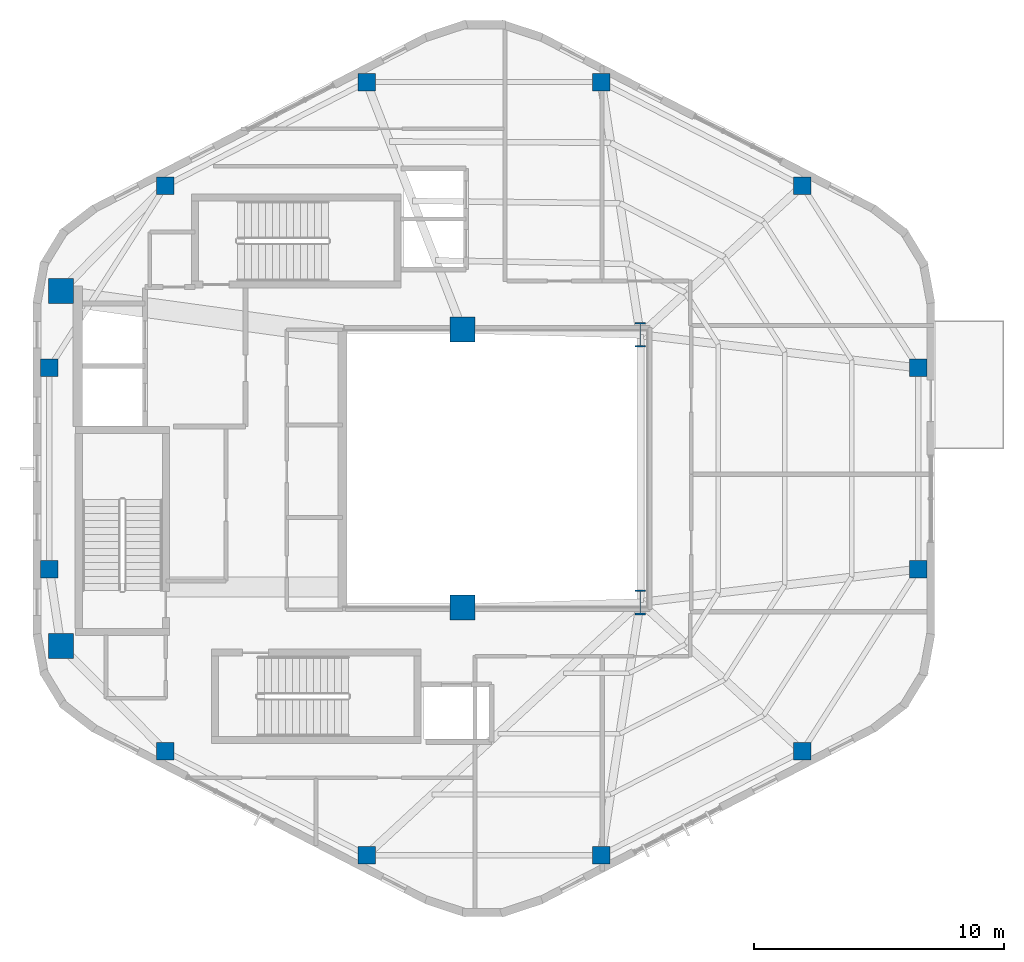
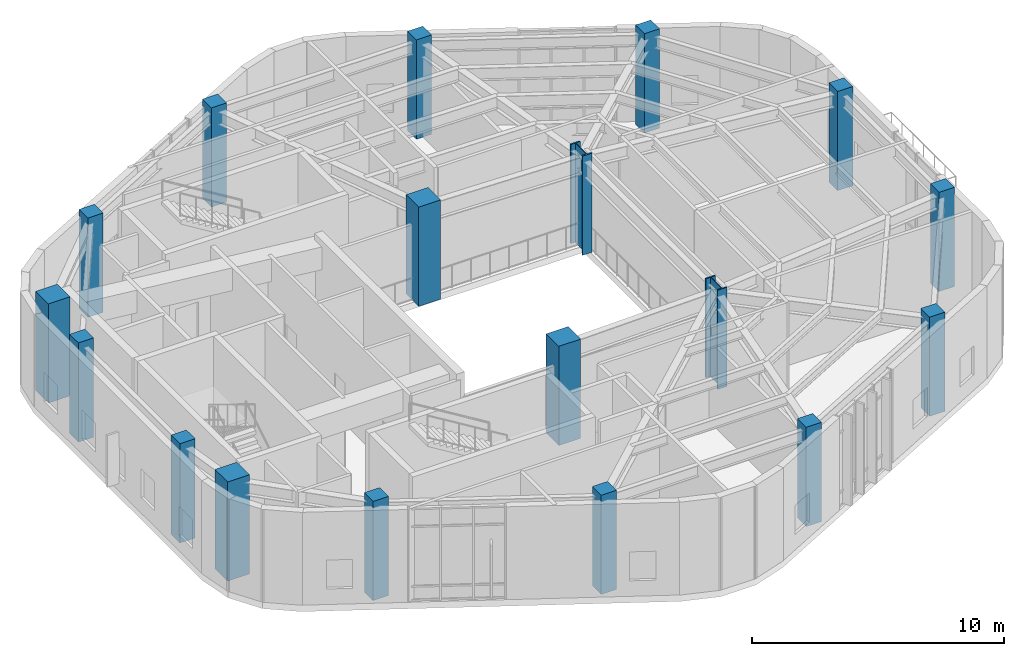
# One storey, part 1 of 19: 18 columns.
"""IFC4 building model written with IfcOpenShell, lengths in metres."""

from ifc_helpers import new_model, si_unit, direction, frame, origin, origin_2d, place, context, subcontext, project, spatial, rectangle, i_section, extrude, material, material_profile, profile_set, type_object, element, save


model = new_model("IFC4")

# Units and contexts
model_context = context("Model", 3, precision=1e-05, world=origin(), true_north=direction((0.0, 1.0)))
body_context = subcontext(model_context, "Body", "Model", "MODEL_VIEW")
ifc_project = project(units=[si_unit("LENGTHUNIT", "METRE"), si_unit("AREAUNIT", "SQUARE_METRE"), si_unit("VOLUMEUNIT", "CUBIC_METRE"), si_unit("PLANEANGLEUNIT", "RADIAN"), si_unit("MASSUNIT", "GRAM", prefix="KILO"), si_unit("THERMODYNAMICTEMPERATUREUNIT", "KELVIN"), si_unit("POWERUNIT", "WATT")], contexts=[model_context])

# Site, building, storey
site_placement = place(None, origin())
site = spatial("IfcSite", under=ifc_project, at=site_placement, CompositionType="ELEMENT")
building_placement = place(site_placement, origin())
building = spatial("IfcBuilding", under=site, at=building_placement, Name="Skarre Station Tower", CompositionType="ELEMENT")
storey_placement = place(building_placement, frame((0.0, 0.0, 275.10009765625)))
storey = spatial("IfcBuildingStorey", under=building, at=storey_placement, Name="L75", CompositionType="ELEMENT", Elevation=275.10009765625)

# Columns
ifc_material_1 = material(Name="Concrete C60/75", Category="concrete")
ifc_material_profile_1 = material_profile(ifc_material_1, rectangle(XDim=1.0, YDim=1.0, at=origin_2d()), Name="Concrete C60/75")
ifc_profile_set_1 = profile_set([ifc_material_profile_1], Name="Concrete C60/75")
column_type_1 = type_object("IfcColumnType", Name="RC Structural Column RC-COL-1000X1000", PredefinedType="COLUMN", material=ifc_profile_set_1)
for number, where, z_axis, x_axis, name in (
    (1, (16.300048828125, 16.89990234375, 0.0), (0.0, 0.0, 1.0), (1.0, 0.0, 0.0), "L75 Core Column CC-SW"),
    (2, (16.300048828125, 31.10009765625, 0.0), (0.0, 0.0, 1.0), (1.0, 0.0, 0.0), "L75 Core Column CC-NW"),
    (3, (32.35009765625, 18.449951171875, 0.0), (0.0, 0.0, 1.0), (1.0, 0.0, 0.0), "L75 Core Column CC-SE"),
    (4, (32.35009765625, 29.550048828125, 0.0), (0.0, 0.0, 1.0), (1.0, 0.0, 0.0), "L75 Core Column CC-NE"),
):
    element("IfcColumn", number, at=place(storey_placement, frame(where, z_axis=z_axis, x_axis=x_axis)), inside=storey, type_object=column_type_1, Name=name, PredefinedType="COLUMN", context=body_context, shape_type="SweptSolid", body=[
        extrude(rectangle(XDim=1.0, YDim=1.0, at=origin_2d()), origin(), (0.0, 0.0, 1.0), 4.7998046875),
    ])
ifc_material_2 = material(Name="Concrete C50/60", Category="concrete")
ifc_material_profile_2 = material_profile(ifc_material_2, rectangle(XDim=0.699951171875, YDim=0.699951171875, at=origin_2d()), Name="Concrete C50/60")
ifc_profile_set_2 = profile_set([ifc_material_profile_2], Name="Concrete C50/60")
column_type_2 = type_object("IfcColumnType", Name="RC Structural Column RC-COL-700X700", PredefinedType="COLUMN", material=ifc_profile_set_2)
for number, where, z_axis, x_axis, name in (
    (5, (45.927001953125, 35.298095703125, 0.0), (0.0, 0.0, 1.0), (1.0, 0.0, 0.0), "L75 Zone 4 Perimeter Column F0C1"),
    (6, (37.888916015625, 39.447021484375, 0.0), (0.0, 0.0, 1.0), (1.0, 0.0, 0.0), "L75 Zone 4 Perimeter Column F0C2"),
    (7, (28.510986328125, 39.447021484375, 0.0), (0.0, 0.0, 1.0), (1.0, 0.0, 0.0), "L75 Zone 4 Perimeter Column F1C1"),
    (8, (20.472900390625, 35.298095703125, 0.0), (0.0, 0.0, 1.0), (1.0, 0.0, 0.0), "L75 Zone 4 Perimeter Column F1C2"),
    (9, (15.8369140625, 28.02099609375, 0.0), (0.0, 0.0, 1.0), (1.0, 0.0, 0.0), "L75 Zone 4 Perimeter Column F2C1"),
    (10, (15.8369140625, 19.97900390625, 0.0), (0.0, 0.0, 1.0), (1.0, 0.0, 0.0), "L75 Zone 4 Perimeter Column F2C2"),
    (11, (20.472900390625, 12.701904296875, 0.0), (0.0, 0.0, 1.0), (1.0, 0.0, 0.0), "L75 Zone 4 Perimeter Column F3C1"),
    (12, (28.510986328125, 8.552978515625, 0.0), (0.0, 0.0, 1.0), (1.0, 0.0, 0.0), "L75 Zone 4 Perimeter Column F3C2"),
    (13, (37.888916015625, 8.552978515625, 0.0), (0.0, 0.0, 1.0), (1.0, 0.0, 0.0), "L75 Zone 4 Perimeter Column F4C1"),
    (14, (45.927001953125, 12.701904296875, 0.0), (0.0, 0.0, 1.0), (1.0, 0.0, 0.0), "L75 Zone 4 Perimeter Column F4C2"),
    (15, (50.56298828125, 19.97900390625, 0.0), (0.0, 0.0, 1.0), (1.0, 0.0, 0.0), "L75 Zone 4 Perimeter Column F5C1"),
    (16, (50.56298828125, 28.02099609375, 0.0), (0.0, 0.0, 1.0), (1.0, 0.0, 0.0), "L75 Zone 4 Perimeter Column F5C2"),
):
    element("IfcColumn", number, at=place(storey_placement, frame(where, z_axis=z_axis, x_axis=x_axis)), inside=storey, type_object=column_type_2, Name=name, PredefinedType="COLUMN", context=body_context, shape_type="SweptSolid", body=[
        extrude(rectangle(XDim=0.699951171875, YDim=0.699951171875, at=origin_2d()), origin(), (0.0, 0.0, 1.0), 4.7998046875),
    ])
ifc_material_3 = material(Name="Steel ASTM A913 Grade 65", Category="steel")
ifc_material_profile_3 = material_profile(ifc_material_3, i_section(OverallWidth=0.430908203125, OverallDepth=0.987060546875, WebThickness=0.033935546875, FlangeThickness=0.06201171875, at=origin_2d()), Name="Steel ASTM A913 Grade 65")
ifc_profile_set_3 = profile_set([ifc_material_profile_3], Name="Steel ASTM A913 Grade 65")
column_type_3 = type_object("IfcColumnType", Name="Steel Column W36X441", PredefinedType="COLUMN", material=ifc_profile_set_3)
for number, where, z_axis, x_axis, name in (
    (17, (39.449951171875, 18.64990234375, 0.0), (0.0, 0.0, 1.0), (1.0, 0.0, 0.0), "L75 Atrium Spine Column AC-SE"),
    (18, (39.449951171875, 29.35009765625, 0.0), (0.0, 0.0, 1.0), (1.0, 0.0, 0.0), "L75 Atrium Spine Column AC-NE"),
):
    element("IfcColumn", number, at=place(storey_placement, frame(where, z_axis=z_axis, x_axis=x_axis)), inside=storey, type_object=column_type_3, Name=name, PredefinedType="COLUMN", context=body_context, shape_type="SweptSolid", body=[
        extrude(i_section(OverallWidth=0.430908203125, OverallDepth=0.987060546875, WebThickness=0.033935546875, FlangeThickness=0.06201171875, at=origin_2d()), origin(), (0.0, 0.0, 1.0), 4.7998046875),
    ])

save(model, "model.ifc")
